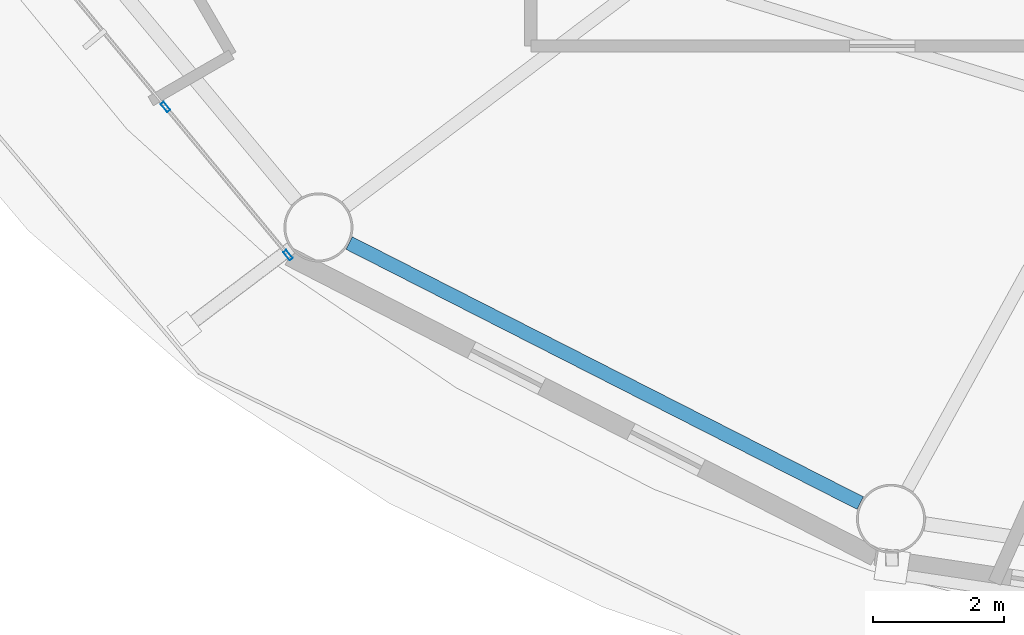
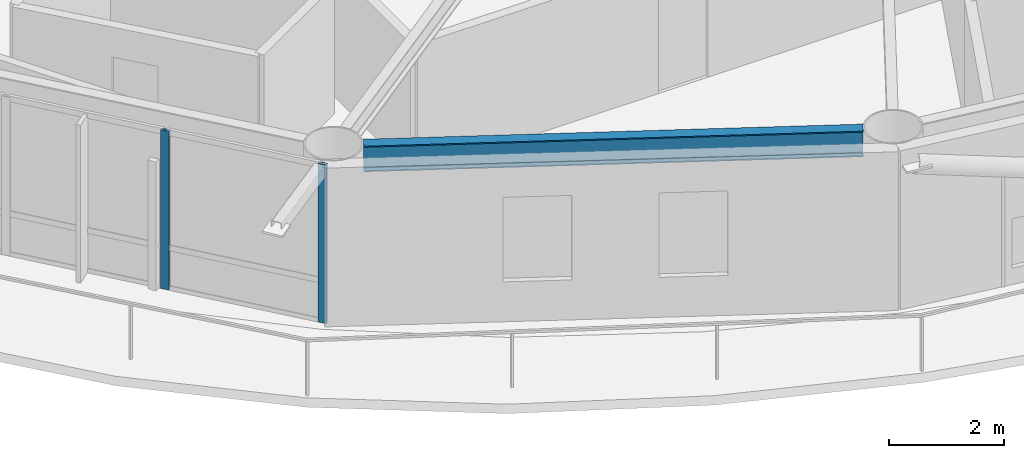
# One storey, part 2 of 28: 2 members, 1 beam, 1 element without a shape of its own.
"""IFC4 building model written with IfcOpenShell, lengths in metres."""

from ifc_helpers import new_model, si_unit, direction, frame, origin, origin_2d, place, context, subcontext, project, spatial, hollow_rectangle, i_section, extrude, material, layer, layer_set, material_profile, profile_set, type_object, element, aggregate, save


model = new_model("IFC4")

# Units and contexts
model_context = context("Model", 3, precision=1e-05, world=origin(), true_north=direction((0.0, 1.0)))
body_context = subcontext(model_context, "Body", "Model", "MODEL_VIEW")
ifc_project = project(units=[si_unit("LENGTHUNIT", "METRE"), si_unit("AREAUNIT", "SQUARE_METRE"), si_unit("VOLUMEUNIT", "CUBIC_METRE"), si_unit("PLANEANGLEUNIT", "RADIAN"), si_unit("MASSUNIT", "GRAM", prefix="KILO")], contexts=[model_context])

# Site, building, storey
site_placement = place(None, origin())
site = spatial("IfcSite", under=ifc_project, at=site_placement, CompositionType="ELEMENT")
building_placement = place(site_placement, origin())
building = spatial("IfcBuilding", under=site, at=building_placement, Name="Sarneth Arch Tower", CompositionType="ELEMENT")
storey_placement = place(building_placement, frame((0.0, 0.0, 172.199951171875)))
storey = spatial("IfcBuildingStorey", under=building, at=storey_placement, Name="L43", CompositionType="ELEMENT", Elevation=172.199951171875)

# Beam
ifc_material_1 = material(Name="Steel S355", Category="steel")
ifc_material_profile_1 = material_profile(ifc_material_1, i_section(OverallWidth=0.214111328125, OverallDepth=0.549072265625, WebThickness=0.0146484375, FlangeThickness=0.023681640625, FilletRadius=0.01806640625, at=origin_2d()), Name="W530x138")
ifc_profile_set_1 = profile_set([ifc_material_profile_1], Name="Steel S355")
beam_type = type_object("IfcBeamType", Name="BM-RAD-530A", PredefinedType="BEAM", material=ifc_profile_set_1)
beam_placement = place(storey_placement, frame((29.334228515625, 27.301513671875, 3.10546875), z_axis=(0.891254220899, -0.453504039374, 0.0), x_axis=(0.453504039374, 0.891254220899, 0.0)))
element("IfcBeam", 1, at=beam_placement, inside=storey, type_object=beam_type, Name="L43 Perimeter spandrel beam 11", PredefinedType="BEAM", context=body_context, shape_type="SweptSolid", body=[
    extrude(i_section(OverallWidth=0.214111328125, OverallDepth=0.549072265625, WebThickness=0.0146484375, FlangeThickness=0.023681640625, FilletRadius=0.01806640625, at=origin_2d()), origin(), (0.0, 0.0, 1.0), 8.724853515625),
])

# Curtain wall, members
ifc_material_2 = material(Name="Anodised aluminium Type AA25 and solar-control low-e laminated IGU", Category="aluminium")
ifc_layer = layer(ifc_material_2, 0.169921875)
ifc_layer_set = layer_set([ifc_layer], Name="Anodised aluminium Type AA25 and solar-control low-e laminated IGU")
curtain_wall_type = type_object("IfcCurtainWallType", Name="CW-RES-MID", PredefinedType="NOTDEFINED", material=ifc_layer_set)
curtain_wall_placement = place(storey_placement, origin())
curtain_wall = element("IfcCurtainWall", 2, at=curtain_wall_placement, inside=storey, type_object=curtain_wall_type, Name="L43 Unitised curtain wall facet 10", PredefinedType="NOTDEFINED")
ifc_material_3 = material(Name="Anodised Aluminium 6063-T6", Category="aluminium")
ifc_material_profile_2 = material_profile(ifc_material_3, hollow_rectangle(XDim=0.06005859375, YDim=0.159912109375, WallThickness=0.00390625, at=origin_2d()), Name="AL-MULL-160x60x4")
ifc_profile_set_2 = profile_set([ifc_material_profile_2], Name="Anodised Aluminium 6063-T6")
member_type = type_object("IfcMemberType", Name="CW-MULLION", PredefinedType="MULLION", material=ifc_profile_set_2)
member_1_placement = place(storey_placement, frame((26.53857421875, 29.373779296875, 0.0), z_axis=(0.0, 0.0, 1.0), x_axis=(0.770590741276, 0.637330298558, 0.0)))
member_1 = element("IfcMember", 3, at=member_1_placement, type_object=member_type, Name="CW-SYS-5 mullion 3", PredefinedType="MULLION", context=body_context, shape_type="SweptSolid", body=[
    extrude(hollow_rectangle(XDim=0.06005859375, YDim=0.159912109375, WallThickness=0.00390625, at=origin_2d()), origin(), (0.0, 0.0, 1.0), 3.380126953125),
])
member_2_placement = place(storey_placement, frame((28.40478515625, 27.1171875, 0.0), z_axis=(0.0, 0.0, 1.0), x_axis=(0.770590741276, 0.637330298558, 0.0)))
member_2 = element("IfcMember", 4, at=member_2_placement, type_object=member_type, Name="CW-SYS-5 mullion 4", PredefinedType="MULLION", context=body_context, shape_type="SweptSolid", body=[
    extrude(hollow_rectangle(XDim=0.06005859375, YDim=0.159912109375, WallThickness=0.00390625, at=origin_2d()), origin(), (0.0, 0.0, 1.0), 3.380126953125),
])
aggregate(curtain_wall, [member_1, member_2])

save(model, "model.ifc")
